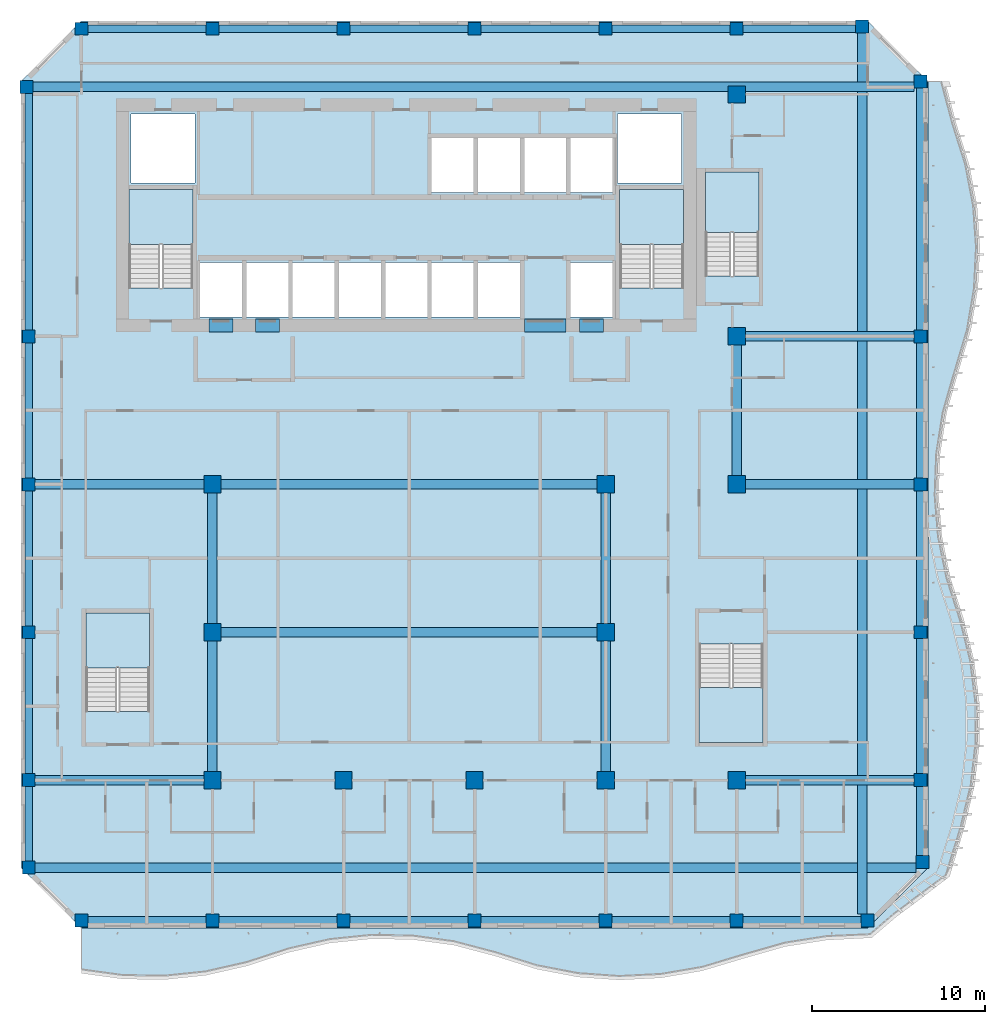
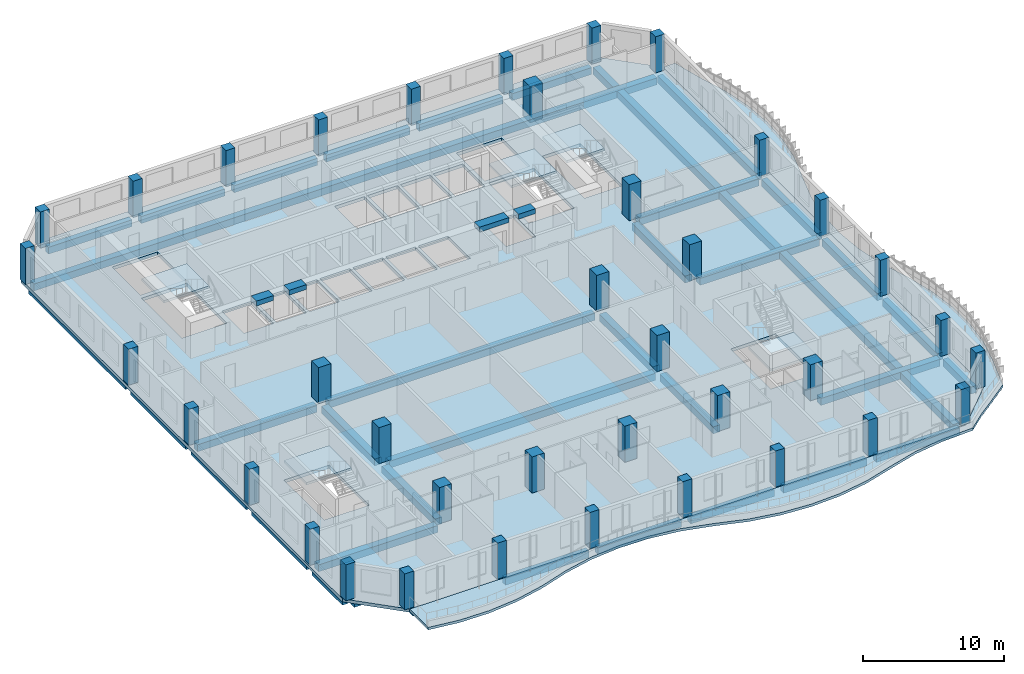
# One storey, part 1 of 21: 41 beams, 38 columns, 7 slabs, 5 elements without a shape of their own.
"""IFC4 building model written with IfcOpenShell, lengths in metres."""

from ifc_helpers import new_model, si_unit, direction, frame, origin, origin_2d, place, context, subcontext, project, spatial, polyline, rectangle, outline, extrude, source, transform, mapped, material, layer, layer_set, material_profile, profile_set, type_object, element, aggregate, save


model = new_model("IFC4")

# Units and contexts
model_context = context("Model", 3, precision=1e-05, world=origin(), true_north=direction((0.0, 1.0)))
body_context = subcontext(model_context, "Body", "Model", "MODEL_VIEW")
ifc_project = project(units=[si_unit("LENGTHUNIT", "METRE"), si_unit("AREAUNIT", "SQUARE_METRE"), si_unit("VOLUMEUNIT", "CUBIC_METRE"), si_unit("PLANEANGLEUNIT", "RADIAN"), si_unit("MASSUNIT", "GRAM", prefix="KILO")], contexts=[model_context])

# Site, building, storey
site_placement = place(None, origin())
site = spatial("IfcSite", under=ifc_project, at=site_placement, CompositionType="ELEMENT")
building_placement = place(site_placement, origin())
building = spatial("IfcBuilding", under=site, at=building_placement, Name="Kilnfold Tower and Market Hall", CompositionType="ELEMENT")
storey_placement = place(building_placement, frame((0.0, 0.0, 216.89990234375)))
storey = spatial("IfcBuildingStorey", under=building, at=storey_placement, Name="L53", CompositionType="ELEMENT", Elevation=216.89990234375)

# Columns
ifc_material_1 = material(Name="Concrete C70", Category="concrete")
ifc_material_profile_1 = material_profile(ifc_material_1, rectangle(XDim=0.75, YDim=0.75, at=origin_2d()), Name="RC 750x750")
ifc_profile_set_1 = profile_set([ifc_material_profile_1], Name="Concrete C70")
column_type_1 = type_object("IfcColumnType", Name="COLUMN 750X750 C70", PredefinedType="COLUMN", material=ifc_profile_set_1)
shared_shape_1 = source(origin(), body_context, "Body", "SweptSolid", [
    extrude(rectangle(XDim=0.75, YDim=0.75, at=origin_2d()), origin(), (0.0, 0.0, 1.0), 3.1201171875),
])
for number, where, z_axis, x_axis, name in (
    (1, (-20.931884765625, 22.431884765625, 0.0), (0.0, 0.0, 1.0), (1.0, 0.0, 0.0), "Column C-B6-1H"),
    (2, (-20.800048828125, -22.75, 0.0), (0.0, 0.0, 1.0), (1.0, 0.0, 0.0), "Column C-B6-1B"),
    (3, (-20.800048828125, -17.6875, 0.0), (0.0, 0.0, 1.0), (1.0, 0.0, 0.0), "Column C-B6-1C"),
    (4, (-20.800048828125, -9.125, 0.0), (0.0, 0.0, 1.0), (1.0, 0.0, 0.0), "Column C-B6-1D"),
    (5, (-20.800048828125, -0.5625, 0.0), (0.0, 0.0, 1.0), (1.0, 0.0, 0.0), "Column C-B6-1E"),
    (6, (-20.800048828125, 8.0, 0.0), (0.0, 0.0, 1.0), (1.0, 0.0, 0.0), "Column C-B6-1F"),
    (7, (-17.75, -25.800048828125, 0.0), (0.0, 0.0, 1.0), (1.0, 0.0, 0.0), "Column C-B6-2A"),
    (8, (-17.75, 25.800048828125, 0.0), (0.0, 0.0, 1.0), (1.0, 0.0, 0.0), "Column C-B6-2I"),
    (9, (-10.166748046875, -25.800048828125, 0.0), (0.0, 0.0, 1.0), (1.0, 0.0, 0.0), "Column C-B6-3A"),
    (10, (-10.166748046875, 25.800048828125, 0.0), (0.0, 0.0, 1.0), (1.0, 0.0, 0.0), "Column C-B6-3I"),
    (11, (-2.583251953125, -25.800048828125, 0.0), (0.0, 0.0, 1.0), (1.0, 0.0, 0.0), "Column C-B6-4A"),
    (12, (-2.583251953125, 25.800048828125, 0.0), (0.0, 0.0, 1.0), (1.0, 0.0, 0.0), "Column C-B6-4I"),
    (13, (5.0, -25.800048828125, 0.0), (0.0, 0.0, 1.0), (1.0, 0.0, 0.0), "Column C-B6-5A"),
    (14, (5.0, 25.800048828125, 0.0), (0.0, 0.0, 1.0), (1.0, 0.0, 0.0), "Column C-B6-5I"),
    (15, (12.583251953125, -25.800048828125, 0.0), (0.0, 0.0, 1.0), (1.0, 0.0, 0.0), "Column C-B6-6A"),
    (16, (12.583251953125, 25.800048828125, 0.0), (0.0, 0.0, 1.0), (1.0, 0.0, 0.0), "Column C-B6-6I"),
    (17, (20.166748046875, -25.800048828125, 0.0), (0.0, 0.0, 1.0), (1.0, 0.0, 0.0), "Column C-B6-7A"),
    (18, (20.166748046875, 25.800048828125, 0.0), (0.0, 0.0, 1.0), (1.0, 0.0, 0.0), "Column C-B6-7I"),
    (19, (27.431884765625, 25.931884765625, 0.0), (0.0, 0.0, 1.0), (1.0, 0.0, 0.0), "Column C-B6-8I"),
    (20, (27.75, -25.800048828125, 0.0), (0.0, 0.0, 1.0), (1.0, 0.0, 0.0), "Column C-B6-8A"),
    (21, (30.800048828125, -17.6875, 0.0), (0.0, 0.0, 1.0), (1.0, 0.0, 0.0), "Column C-B6-9C"),
    (22, (30.800048828125, -9.125, 0.0), (0.0, 0.0, 1.0), (1.0, 0.0, 0.0), "Column C-B6-9D"),
    (23, (30.800048828125, -0.5625, 0.0), (0.0, 0.0, 1.0), (1.0, 0.0, 0.0), "Column C-B6-9E"),
    (24, (30.800048828125, 8.0, 0.0), (0.0, 0.0, 1.0), (1.0, 0.0, 0.0), "Column C-B6-9F"),
    (25, (30.800048828125, 22.75, 0.0), (0.0, 0.0, 1.0), (1.0, 0.0, 0.0), "Column C-B6-9H"),
    (26, (30.931884765625, -22.431884765625, 0.0), (0.0, 0.0, 1.0), (1.0, 0.0, 0.0), "Column C-B6-9B"),
):
    element("IfcColumn", number, at=place(storey_placement, frame(where, z_axis=z_axis, x_axis=x_axis)), inside=storey, type_object=column_type_1, Name=name, PredefinedType="COLUMN", context=body_context, shape_type="MappedRepresentation", body=[
        mapped(shared_shape_1, transform((0.0, 0.0, 0.0))),
    ])
ifc_material_2 = material(Name="Concrete C70", Category="concrete")
ifc_material_profile_2 = material_profile(ifc_material_2, rectangle(XDim=1.0, YDim=1.0, at=origin_2d()), Name="RC 1000x1000")
ifc_profile_set_2 = profile_set([ifc_material_profile_2], Name="Concrete C70")
column_type_2 = type_object("IfcColumnType", Name="COLUMN 1000X1000 C70", PredefinedType="COLUMN", material=ifc_profile_set_2)
shared_shape_2 = source(origin(), body_context, "Body", "SweptSolid", [
    extrude(rectangle(XDim=1.0, YDim=1.0, at=origin_2d()), origin(), (0.0, 0.0, 1.0), 3.1201171875),
])
for number, where, z_axis, x_axis, name in (
    (27, (-10.166748046875, -17.6875, 0.0), (0.0, 0.0, 1.0), (1.0, 0.0, 0.0), "Column C-B6-3C"),
    (28, (-10.166748046875, -9.125, 0.0), (0.0, 0.0, 1.0), (1.0, 0.0, 0.0), "Column C-B6-3D"),
    (29, (-10.166748046875, -0.5625, 0.0), (0.0, 0.0, 1.0), (1.0, 0.0, 0.0), "Column C-B6-3E"),
    (30, (-2.583251953125, -17.6875, 0.0), (0.0, 0.0, 1.0), (1.0, 0.0, 0.0), "Column C-B6-4C"),
    (31, (5.0, -17.6875, 0.0), (0.0, 0.0, 1.0), (1.0, 0.0, 0.0), "Column C-B6-5C"),
    (32, (12.583251953125, -17.6875, 0.0), (0.0, 0.0, 1.0), (1.0, 0.0, 0.0), "Column C-B6-6C"),
    (33, (12.583251953125, -9.125, 0.0), (0.0, 0.0, 1.0), (1.0, 0.0, 0.0), "Column C-B6-6D"),
    (34, (12.583251953125, -0.5625, 0.0), (0.0, 0.0, 1.0), (1.0, 0.0, 0.0), "Column C-B6-6E"),
    (35, (20.166748046875, -17.6875, 0.0), (0.0, 0.0, 1.0), (1.0, 0.0, 0.0), "Column C-B6-7C"),
    (36, (20.166748046875, -0.5625, 0.0), (0.0, 0.0, 1.0), (1.0, 0.0, 0.0), "Column C-B6-7E"),
    (37, (20.166748046875, 8.0, 0.0), (0.0, 0.0, 1.0), (1.0, 0.0, 0.0), "Column C-B6-7F"),
    (38, (20.166748046875, 22.0, 0.0), (0.0, 0.0, 1.0), (1.0, 0.0, 0.0), "Column C-B6-7G"),
):
    element("IfcColumn", number, at=place(storey_placement, frame(where, z_axis=z_axis, x_axis=x_axis)), inside=storey, type_object=column_type_2, Name=name, PredefinedType="COLUMN", context=body_context, shape_type="MappedRepresentation", body=[
        mapped(shared_shape_2, transform((0.0, 0.0, 0.0))),
    ])

# Beams
ifc_material_3 = material(Name="Concrete C45", Category="concrete")
ifc_material_profile_3 = material_profile(ifc_material_3, rectangle(XDim=0.550048828125, YDim=0.60009765625, at=origin_2d()), Name="RC 550x600")
ifc_profile_set_3 = profile_set([ifc_material_profile_3], Name="Concrete C45")
beam_type_1 = type_object("IfcBeamType", Name="BEAM 550X600 C45", PredefinedType="BEAM", material=ifc_profile_set_3)
shared_shape_3 = source(origin(), body_context, "Body", "SweptSolid", [
    extrude(rectangle(XDim=0.550048828125, YDim=0.60009765625, at=origin_2d()), origin(), (0.0, 0.0, 1.0), 21.75),
])
for number, where, z_axis, x_axis, name in (
    (39, (-9.666748046875, -9.1201171875, -0.579833984375), (1.0, 0.0, 0.0), (0.0, 1.0, 0.0), "Beam BB600-B6.48"),
    (40, (-9.666748046875, -0.56005859375, -0.579833984375), (1.0, 0.0, 0.0), (0.0, 1.0, 0.0), "Beam BB600-B6.50"),
):
    element("IfcBeam", number, at=place(storey_placement, frame(where, z_axis=z_axis, x_axis=x_axis)), inside=storey, type_object=beam_type_1, Name=name, PredefinedType="BEAM", context=body_context, shape_type="MappedRepresentation", body=[
        mapped(shared_shape_3, transform((0.0, 0.0, 0.0))),
    ])
ifc_material_4 = material(Name="Concrete C60", Category="concrete")
ifc_material_profile_4 = material_profile(ifc_material_4, rectangle(XDim=0.75, YDim=0.419921875, at=origin_2d()), Name="RC 750x420")
ifc_profile_set_4 = profile_set([ifc_material_profile_4], Name="Concrete C60")
beam_type_2 = type_object("IfcBeamType", Name="COUPLING BEAM 750X420 C60", PredefinedType="BEAM", material=ifc_profile_set_4)
shared_shape_4 = source(origin(), body_context, "Body", "SweptSolid", [
    extrude(rectangle(XDim=0.75, YDim=0.419921875, at=origin_2d()), origin(), (0.0, 0.0, 1.0), 1.400146484375),
])
beam_1_placement = place(storey_placement, frame((-10.3701171875, 8.625, 2.91015625), z_axis=(1.0, 0.0, 0.0), x_axis=(0.0, 1.0, 0.0)))
element("IfcBeam", 41, at=beam_1_placement, inside=storey, type_object=beam_type_2, Name="Coupling beam CB420-60-CORE.37", PredefinedType="BEAM", context=body_context, shape_type="MappedRepresentation", body=[
    mapped(shared_shape_4, transform((0.0, 0.0, 0.0))),
])
shared_shape_5 = source(origin(), body_context, "Body", "SweptSolid", [
    extrude(rectangle(XDim=0.75, YDim=0.419921875, at=origin_2d()), origin(), (0.0, 0.0, 1.0), 1.39990234375),
])
for number, where, z_axis, x_axis, name in (
    (42, (-7.68994140625, 8.625, 2.91015625), (1.0, 0.0, 0.0), (0.0, 1.0, 0.0), "Coupling beam CB420-60-CORE.38"),
    (43, (11.070068359375, 8.625, 2.91015625), (1.0, 0.0, 0.0), (0.0, 1.0, 0.0), "Coupling beam CB420-60-CORE.40"),
):
    element("IfcBeam", number, at=place(storey_placement, frame(where, z_axis=z_axis, x_axis=x_axis)), inside=storey, type_object=beam_type_2, Name=name, PredefinedType="BEAM", context=body_context, shape_type="MappedRepresentation", body=[
        mapped(shared_shape_5, transform((0.0, 0.0, 0.0))),
    ])
shared_shape_6 = source(origin(), body_context, "Body", "SweptSolid", [
    extrude(rectangle(XDim=0.75, YDim=0.419921875, at=origin_2d()), origin(), (0.0, 0.0, 1.0), 2.400146484375),
])
beam_2_placement = place(storey_placement, frame((7.889892578125, 8.625, 2.91015625), z_axis=(1.0, 0.0, 0.0), x_axis=(0.0, 1.0, 0.0)))
element("IfcBeam", 44, at=beam_2_placement, inside=storey, type_object=beam_type_2, Name="Coupling beam CB420-60-CORE.39", PredefinedType="BEAM", context=body_context, shape_type="MappedRepresentation", body=[
    mapped(shared_shape_6, transform((0.0, 0.0, 0.0))),
])
ifc_material_5 = material(Name="Concrete C45", Category="concrete")
ifc_material_profile_5 = material_profile(ifc_material_5, rectangle(XDim=0.449951171875, YDim=0.60009765625, at=origin_2d()), Name="RC 450x600")
ifc_profile_set_5 = profile_set([ifc_material_profile_5], Name="Concrete C45")
beam_type_3 = type_object("IfcBeamType", Name="EDGE BEAM 450X600 C45", PredefinedType="BEAM", material=ifc_profile_set_5)
shared_shape_7 = source(origin(), body_context, "Body", "SweptSolid", [
    extrude(rectangle(XDim=0.449951171875, YDim=0.60009765625, at=origin_2d()), origin(), (0.0, 0.0, 1.0), 13.681884765625),
])
beam_3_placement = place(storey_placement, frame((-20.800048828125, 8.375, -0.579833984375), z_axis=(0.0, 1.0, 0.0), x_axis=(-1.0, 0.0, 0.0)))
element("IfcBeam", 45, at=beam_3_placement, inside=storey, type_object=beam_type_3, Name="Beam EB600-B6.33", PredefinedType="BEAM", context=body_context, shape_type="MappedRepresentation", body=[
    mapped(shared_shape_7, transform((0.0, 0.0, 0.0))),
])
shared_shape_8 = source(origin(), body_context, "Body", "SweptSolid", [
    extrude(rectangle(XDim=0.449951171875, YDim=0.60009765625, at=origin_2d()), origin(), (0.0, 0.0, 1.0), 6.833251953125),
])
for number, where, z_axis, x_axis, name in (
    (46, (-17.375, -25.800048828125, -0.579833984375), (1.0, 0.0, 0.0), (0.0, 1.0, 0.0), "Beam EB600-B6.39"),
    (47, (-2.208251953125, -25.800048828125, -0.579833984375), (1.0, 0.0, 0.0), (0.0, 1.0, 0.0), "Beam EB600-B6.41"),
    (48, (5.375, -25.800048828125, -0.579833984375), (1.0, 0.0, 0.0), (0.0, 1.0, 0.0), "Beam EB600-B6.42"),
    (49, (20.541748046875, -25.800048828125, -0.579833984375), (1.0, 0.0, 0.0), (0.0, 1.0, 0.0), "Beam EB600-B6.44"),
    (50, (-17.375, 25.800048828125, -0.579833984375), (1.0, 0.0, 0.0), (0.0, 1.0, 0.0), "Beam EB600-B6.54"),
    (51, (-2.208251953125, 25.800048828125, -0.579833984375), (1.0, 0.0, 0.0), (0.0, 1.0, 0.0), "Beam EB600-B6.56"),
    (52, (5.375, 25.800048828125, -0.579833984375), (1.0, 0.0, 0.0), (0.0, 1.0, 0.0), "Beam EB600-B6.57"),
):
    element("IfcBeam", number, at=place(storey_placement, frame(where, z_axis=z_axis, x_axis=x_axis)), inside=storey, type_object=beam_type_3, Name=name, PredefinedType="BEAM", context=body_context, shape_type="MappedRepresentation", body=[
        mapped(shared_shape_8, transform((0.0, 0.0, 0.0))),
    ])
shared_shape_9 = source(origin(), body_context, "Body", "SweptSolid", [
    extrude(rectangle(XDim=0.449951171875, YDim=0.60009765625, at=origin_2d()), origin(), (0.0, 0.0, 1.0), 6.83349609375),
])
for number, where, z_axis, x_axis, name in (
    (53, (-9.791748046875, -25.800048828125, -0.579833984375), (1.0, 0.0, 0.0), (0.0, 1.0, 0.0), "Beam EB600-B6.40"),
    (54, (12.958251953125, -25.800048828125, -0.579833984375), (1.0, 0.0, 0.0), (0.0, 1.0, 0.0), "Beam EB600-B6.43"),
    (55, (-9.791748046875, 25.800048828125, -0.579833984375), (1.0, 0.0, 0.0), (0.0, 1.0, 0.0), "Beam EB600-B6.55"),
    (56, (12.958251953125, 25.800048828125, -0.579833984375), (1.0, 0.0, 0.0), (0.0, 1.0, 0.0), "Beam EB600-B6.58"),
):
    element("IfcBeam", number, at=place(storey_placement, frame(where, z_axis=z_axis, x_axis=x_axis)), inside=storey, type_object=beam_type_3, Name=name, PredefinedType="BEAM", context=body_context, shape_type="MappedRepresentation", body=[
        mapped(shared_shape_9, transform((0.0, 0.0, 0.0))),
    ])
shared_shape_10 = source(origin(), body_context, "Body", "SweptSolid", [
    extrude(rectangle(XDim=0.550048828125, YDim=0.60009765625, at=origin_2d()), origin(), (0.0, 0.0, 1.0), 50.98193359375),
])
for number, where, z_axis, x_axis, name in (
    (57, (-20.425048828125, -22.75, -0.579833984375), (1.0, 0.0, 0.0), (0.0, 1.0, 0.0), "Beam BB600-B6.45"),
    (58, (-20.556884765625, 22.429931640625, -0.579833984375), (1.0, 0.0, 0.0), (0.0, 1.0, 0.0), "Beam BB600-B6.53"),
    (59, (27.429931640625, -25.425048828125, -0.579833984375), (0.0, 1.0, 0.0), (-1.0, 0.0, 0.0), "Beam BB600-B6.69"),
):
    element("IfcBeam", number, at=place(storey_placement, frame(where, z_axis=z_axis, x_axis=x_axis)), inside=storey, type_object=beam_type_1, Name=name, PredefinedType="BEAM", context=body_context, shape_type="MappedRepresentation", body=[
        mapped(shared_shape_10, transform((0.0, 0.0, 0.0))),
    ])
shared_shape_11 = source(origin(), body_context, "Body", "SweptSolid", [
    extrude(rectangle(XDim=0.550048828125, YDim=0.60009765625, at=origin_2d()), origin(), (0.0, 0.0, 1.0), 9.75830078125),
])
for number, where, z_axis, x_axis, name in (
    (60, (-20.425048828125, -17.68994140625, -0.579833984375), (1.0, 0.0, 0.0), (0.0, 1.0, 0.0), "Beam BB600-B6.46"),
    (61, (20.666748046875, -17.68994140625, -0.579833984375), (1.0, 0.0, 0.0), (0.0, 1.0, 0.0), "Beam BB600-B6.47"),
    (62, (-20.425048828125, -0.56005859375, -0.579833984375), (1.0, 0.0, 0.0), (0.0, 1.0, 0.0), "Beam BB600-B6.49"),
    (63, (20.666748046875, -0.56005859375, -0.579833984375), (1.0, 0.0, 0.0), (0.0, 1.0, 0.0), "Beam BB600-B6.51"),
    (64, (20.666748046875, 8.0, -0.579833984375), (1.0, 0.0, 0.0), (0.0, 1.0, 0.0), "Beam BB600-B6.52"),
):
    element("IfcBeam", number, at=place(storey_placement, frame(where, z_axis=z_axis, x_axis=x_axis)), inside=storey, type_object=beam_type_1, Name=name, PredefinedType="BEAM", context=body_context, shape_type="MappedRepresentation", body=[
        mapped(shared_shape_11, transform((0.0, 0.0, 0.0))),
    ])
shared_shape_12 = source(origin(), body_context, "Body", "SweptSolid", [
    extrude(rectangle(XDim=0.449951171875, YDim=0.60009765625, at=origin_2d()), origin(), (0.0, 0.0, 1.0), 6.51513671875),
])
beam_4_placement = place(storey_placement, frame((20.541748046875, 25.800048828125, -0.579833984375), z_axis=(1.0, 0.0, 0.0), x_axis=(0.0, 1.0, 0.0)))
element("IfcBeam", 65, at=beam_4_placement, inside=storey, type_object=beam_type_3, Name="Beam EB600-B6.59", PredefinedType="BEAM", context=body_context, shape_type="MappedRepresentation", body=[
    mapped(shared_shape_12, transform((0.0, 0.0, 0.0))),
])
shared_shape_13 = source(origin(), body_context, "Body", "SweptSolid", [
    extrude(rectangle(XDim=0.449951171875, YDim=0.60009765625, at=origin_2d()), origin(), (0.0, 0.0, 1.0), 4.3125),
])
beam_5_placement = place(storey_placement, frame((-20.800048828125, -22.375, -0.579833984375), z_axis=(0.0, 1.0, 0.0), x_axis=(-1.0, 0.0, 0.0)))
element("IfcBeam", 66, at=beam_5_placement, inside=storey, type_object=beam_type_3, Name="Beam EB600-B6.60", PredefinedType="BEAM", context=body_context, shape_type="MappedRepresentation", body=[
    mapped(shared_shape_13, transform((0.0, 0.0, 0.0))),
])
shared_shape_14 = source(origin(), body_context, "Body", "SweptSolid", [
    extrude(rectangle(XDim=0.449951171875, YDim=0.60009765625, at=origin_2d()), origin(), (0.0, 0.0, 1.0), 7.8125),
])
for number, where, z_axis, x_axis, name in (
    (67, (-20.800048828125, -17.3125, -0.579833984375), (0.0, 1.0, 0.0), (-1.0, 0.0, 0.0), "Beam EB600-B6.61"),
    (68, (-20.800048828125, -8.75, -0.579833984375), (0.0, 1.0, 0.0), (-1.0, 0.0, 0.0), "Beam EB600-B6.62"),
    (69, (-20.800048828125, -0.1875, -0.579833984375), (0.0, 1.0, 0.0), (-1.0, 0.0, 0.0), "Beam EB600-B6.63"),
    (70, (30.800048828125, -17.3125, -0.579833984375), (0.0, 1.0, 0.0), (-1.0, 0.0, 0.0), "Beam EB600-B6.71"),
    (71, (30.800048828125, -8.75, -0.579833984375), (0.0, 1.0, 0.0), (-1.0, 0.0, 0.0), "Beam EB600-B6.72"),
    (72, (30.800048828125, -0.1875, -0.579833984375), (0.0, 1.0, 0.0), (-1.0, 0.0, 0.0), "Beam EB600-B6.73"),
):
    element("IfcBeam", number, at=place(storey_placement, frame(where, z_axis=z_axis, x_axis=x_axis)), inside=storey, type_object=beam_type_3, Name=name, PredefinedType="BEAM", context=body_context, shape_type="MappedRepresentation", body=[
        mapped(shared_shape_14, transform((0.0, 0.0, 0.0))),
    ])
shared_shape_15 = source(origin(), body_context, "Body", "SweptSolid", [
    extrude(rectangle(XDim=0.550048828125, YDim=0.60009765625, at=origin_2d()), origin(), (0.0, 0.0, 1.0), 7.5625),
])
for number, where, z_axis, x_axis, name in (
    (73, (-10.169921875, -17.1875, -0.579833984375), (0.0, 1.0, 0.0), (-1.0, 0.0, 0.0), "Beam BB600-B6.64"),
    (74, (-10.169921875, -8.625, -0.579833984375), (0.0, 1.0, 0.0), (-1.0, 0.0, 0.0), "Beam BB600-B6.65"),
    (75, (12.580078125, -17.1875, -0.579833984375), (0.0, 1.0, 0.0), (-1.0, 0.0, 0.0), "Beam BB600-B6.66"),
    (76, (12.580078125, -8.625, -0.579833984375), (0.0, 1.0, 0.0), (-1.0, 0.0, 0.0), "Beam BB600-B6.67"),
    (77, (20.169921875, -0.0625, -0.579833984375), (0.0, 1.0, 0.0), (-1.0, 0.0, 0.0), "Beam BB600-B6.68"),
):
    element("IfcBeam", number, at=place(storey_placement, frame(where, z_axis=z_axis, x_axis=x_axis)), inside=storey, type_object=beam_type_1, Name=name, PredefinedType="BEAM", context=body_context, shape_type="MappedRepresentation", body=[
        mapped(shared_shape_15, transform((0.0, 0.0, 0.0))),
    ])
shared_shape_16 = source(origin(), body_context, "Body", "SweptSolid", [
    extrude(rectangle(XDim=0.449951171875, YDim=0.60009765625, at=origin_2d()), origin(), (0.0, 0.0, 1.0), 3.994384765625),
])
beam_6_placement = place(storey_placement, frame((30.800048828125, -22.056884765625, -0.579833984375), z_axis=(0.0, 1.0, 0.0), x_axis=(-1.0, 0.0, 0.0)))
element("IfcBeam", 78, at=beam_6_placement, inside=storey, type_object=beam_type_3, Name="Beam EB600-B6.70", PredefinedType="BEAM", context=body_context, shape_type="MappedRepresentation", body=[
    mapped(shared_shape_16, transform((0.0, 0.0, 0.0))),
])
shared_shape_17 = source(origin(), body_context, "Body", "SweptSolid", [
    extrude(rectangle(XDim=0.449951171875, YDim=0.60009765625, at=origin_2d()), origin(), (0.0, 0.0, 1.0), 14.0),
])
beam_7_placement = place(storey_placement, frame((30.800048828125, 8.375, -0.579833984375), z_axis=(0.0, 1.0, 0.0), x_axis=(-1.0, 0.0, 0.0)))
element("IfcBeam", 79, at=beam_7_placement, inside=storey, type_object=beam_type_3, Name="Beam EB600-B6.74", PredefinedType="BEAM", context=body_context, shape_type="MappedRepresentation", body=[
    mapped(shared_shape_17, transform((0.0, 0.0, 0.0))),
])

# Slabs
ifc_material_6 = material(Name="Concrete C45", Category="concrete")
ifc_layer_1 = layer(ifc_material_6, 0.280029296875)
ifc_layer_set_1 = layer_set([ifc_layer_1], Name="Concrete C45")
slab_type_1 = type_object("IfcSlabType", Name="FLOOR SLAB 280", PredefinedType="FLOOR", material=ifc_layer_set_1)
shared_shape_18 = source(origin(), body_context, "Body", "SweptSolid", [
    extrude(outline(polyline([(-17.75, -26.25), (27.75, -26.25), (31.25, -22.75), (31.25, 22.75), (27.75, 26.25), (-17.75, 26.25), (-21.25, 22.75), (-21.25, -22.75), (-17.75, -26.25)]), holes=[polyline([(-13.800537109375, -13.699462890625), (-17.49951171875, -13.699462890625), (-17.49951171875, -8.00048828125), (-13.800537109375, -8.00048828125), (-13.800537109375, -13.699462890625)]), polyline([(-14.99951171875, 10.800537109375), (-14.99951171875, 16.49951171875), (-11.300537109375, 16.49951171875), (-11.300537109375, 10.800537109375), (-14.99951171875, 10.800537109375)]), polyline([(-11.175048828125, 16.875), (-14.875, 16.875), (-14.875, 20.875), (-11.175048828125, 20.875), (-11.175048828125, 16.875)]), polyline([(-8.455078125, 9.125), (-10.885009765625, 9.125), (-10.885009765625, 12.27490234375), (-8.455078125, 12.27490234375), (-8.455078125, 9.125)]), polyline([(-5.77490234375, 9.125), (-8.205078125, 9.125), (-8.205078125, 12.27490234375), (-5.77490234375, 12.27490234375), (-5.77490234375, 9.125)]), polyline([(-3.094970703125, 9.125), (-5.52490234375, 9.125), (-5.52490234375, 12.27490234375), (-3.094970703125, 12.27490234375), (-3.094970703125, 9.125)]), polyline([(-0.4150390625, 9.125), (-2.844970703125, 9.125), (-2.844970703125, 12.27490234375), (-0.4150390625, 12.27490234375), (-0.4150390625, 9.125)]), polyline([(2.264892578125, 9.125), (-0.1650390625, 9.125), (-0.1650390625, 12.27490234375), (2.264892578125, 12.27490234375), (2.264892578125, 9.125)]), polyline([(4.945068359375, 9.125), (2.514892578125, 9.125), (2.514892578125, 12.27490234375), (4.945068359375, 12.27490234375), (4.945068359375, 9.125)]), polyline([(2.514892578125, 16.324951171875), (2.514892578125, 19.47509765625), (4.945068359375, 19.47509765625), (4.945068359375, 16.324951171875), (2.514892578125, 16.324951171875)]), polyline([(7.625, 9.125), (5.195068359375, 9.125), (5.195068359375, 12.27490234375), (7.625, 12.27490234375), (7.625, 9.125)]), polyline([(7.625, 16.324951171875), (5.195068359375, 16.324951171875), (5.195068359375, 19.47509765625), (7.625, 19.47509765625), (7.625, 16.324951171875)]), polyline([(10.304931640625, 16.324951171875), (7.875, 16.324951171875), (7.875, 19.47509765625), (10.304931640625, 19.47509765625), (10.304931640625, 16.324951171875)]), polyline([(10.554931640625, 9.125), (10.554931640625, 12.27490234375), (12.985107421875, 12.27490234375), (12.985107421875, 9.125), (10.554931640625, 9.125)]), polyline([(10.554931640625, 16.324951171875), (10.554931640625, 19.47509765625), (12.985107421875, 19.47509765625), (12.985107421875, 16.324951171875), (10.554931640625, 16.324951171875)]), polyline([(13.27490234375, 16.875), (13.27490234375, 20.875), (16.97509765625, 20.875), (16.97509765625, 16.875), (13.27490234375, 16.875)]), polyline([(13.400390625, 10.800537109375), (13.400390625, 16.49951171875), (17.099609375, 16.49951171875), (17.099609375, 10.800537109375), (13.400390625, 10.800537109375)]), polyline([(18.00048828125, -9.800537109375), (21.699462890625, -9.800537109375), (21.699462890625, -15.49951171875), (18.00048828125, -15.49951171875), (18.00048828125, -9.800537109375)]), polyline([(21.449462890625, 11.50048828125), (18.3505859375, 11.50048828125), (18.3505859375, 17.49951171875), (21.449462890625, 17.49951171875), (21.449462890625, 11.50048828125)])]), origin(), (0.0, 0.0, 1.0), 0.280029296875),
])
slab_1_placement = place(storey_placement, frame((0.0, 0.0, -0.280029296875)))
element("IfcSlab", 80, at=slab_1_placement, inside=storey, type_object=slab_type_1, Name="Floor slab L53", PredefinedType="FLOOR", context=body_context, shape_type="MappedRepresentation", body=[
    mapped(shared_shape_18, transform((0.0, 0.0, 0.0))),
])
ifc_material_7 = material(Name="Concrete C40/50", Category="concrete")
ifc_layer_2 = layer(ifc_material_7, 0.219970703125)
ifc_layer_set_2 = layer_set([ifc_layer_2], Name="Concrete C40/50")
slab_type_2 = type_object("IfcSlabType", Name="BALCONY SLAB 220", PredefinedType="FLOOR", material=ifc_layer_set_2)
shared_shape_19 = source(origin(), body_context, "Body", "SweptSolid", [
    extrude(outline(polyline([(-17.75, -26.25), (27.75, -26.25), (31.25, -22.75), (31.25, 22.75), (32.23388671875, 22.75), (32.86279296875, 20.355224609375), (33.6201171875, 17.96044921875), (34.080810546875, 15.56591796875), (34.248779296875, 13.171142578125), (34.131591796875, 10.7763671875), (33.7236328125, 8.381591796875), (33.007568359375, 5.98681640625), (32.322509765625, 3.592041015625), (31.944091796875, 1.197509765625), (31.85498046875, -1.197509765625), (32.051513671875, -3.592041015625), (32.542236328125, -5.98681640625), (33.31396484375, -8.381591796875), (33.91162109375, -10.7763671875), (34.208984375, -13.171142578125), (34.219482421875, -15.56591796875), (33.943115234375, -17.96044921875), (33.367919921875, -20.355224609375), (32.487548828125, -23.2626953125), (30.7578125, -24.59130859375), (29.41943359375, -25.5859375), (27.981689453125, -26.80908203125), (25.355224609375, -26.94287109375), (22.96044921875, -27.319580078125), (20.56591796875, -28.0029296875), (18.171142578125, -28.720703125), (15.7763671875, -29.130126953125), (13.381591796875, -29.2490234375), (10.98681640625, -29.08251953125), (8.592041015625, -28.623291015625), (6.197509765625, -27.866943359375), (3.802490234375, -27.236328125), (1.407958984375, -26.908447265625), (-0.98681640625, -26.868408203125), (-3.381591796875, -27.114501953125), (-5.7763671875, -27.657470703125), (-8.171142578125, -28.43896484375), (-10.56591796875, -28.9833984375), (-12.96044921875, -29.231201171875), (-15.355224609375, -29.1923828125), (-17.75, -28.8662109375), (-17.75, -26.25)])), origin(), (0.0, 0.0, 1.0), 0.219970703125),
])
slab_2_placement = place(storey_placement, frame((0.0, 0.0, -0.219970703125)))
element("IfcSlab", 81, at=slab_2_placement, inside=storey, type_object=slab_type_2, Name="Balcony slab L53", PredefinedType="FLOOR", context=body_context, shape_type="MappedRepresentation", body=[
    mapped(shared_shape_19, transform((0.0, 0.0, 0.0))),
])

# Stair, slab
ifc_material_8 = material(Name="Concrete C40/50", Category="concrete")
stair_type_1 = type_object("IfcStairType", Name="CORE STAIR 1800", PredefinedType="HALF_TURN_STAIR", material=ifc_material_8)
stair_1_placement = place(storey_placement, origin())
stair_1 = element("IfcStair", 82, at=stair_1_placement, inside=storey, type_object=stair_type_1, Name="L53 ST1", PredefinedType="HALF_TURN_STAIR")
ifc_material_9 = material(Name="Concrete C40/50", Category="concrete")
ifc_layer_3 = layer(ifc_material_9, 0.199951171875)
ifc_layer_set_3 = layer_set([ifc_layer_3], Name="Concrete C40/50")
slab_type_3 = type_object("IfcSlabType", Name="CORE STAIR LANDING 200", PredefinedType="LANDING", material=ifc_layer_set_3)
shared_shape_20 = source(origin(), body_context, "Body", "SweptSolid", [
    extrude(outline(polyline([(-11.300048828125, 13.320068359375), (-11.300048828125, 16.5), (-15.0, 16.5), (-15.0, 13.320068359375), (-11.300048828125, 13.320068359375)])), origin(), (0.0, 0.0, 1.0), 0.2001953125),
])
slab_3_placement = place(storey_placement, frame((0.0, 0.0, 1.5)))
slab_3 = element("IfcSlab", 83, at=slab_3_placement, type_object=slab_type_3, Name="ST1 landing 1", PredefinedType="LANDING", context=body_context, shape_type="MappedRepresentation", body=[
    mapped(shared_shape_20, transform((0.0, 0.0, 0.0))),
])
aggregate(stair_1, [slab_3])

stair_2_placement = place(storey_placement, origin())
stair_2 = element("IfcStair", 84, at=stair_2_placement, inside=storey, type_object=stair_type_1, Name="L53 ST2", PredefinedType="HALF_TURN_STAIR")
shared_shape_21 = source(origin(), body_context, "Body", "SweptSolid", [
    extrude(outline(polyline([(17.10009765625, 13.320068359375), (17.10009765625, 16.5), (13.39990234375, 16.5), (13.39990234375, 13.320068359375), (17.10009765625, 13.320068359375)])), origin(), (0.0, 0.0, 1.0), 0.2001953125),
])
slab_4_placement = place(storey_placement, frame((0.0, 0.0, 1.5)))
slab_4 = element("IfcSlab", 85, at=slab_4_placement, type_object=slab_type_3, Name="ST2 landing 1", PredefinedType="LANDING", context=body_context, shape_type="MappedRepresentation", body=[
    mapped(shared_shape_21, transform((0.0, 0.0, 0.0))),
])
aggregate(stair_2, [slab_4])

stair_3_placement = place(storey_placement, origin())
stair_3 = element("IfcStair", 86, at=stair_3_placement, inside=storey, type_object=stair_type_1, Name="L53 ST3", PredefinedType="HALF_TURN_STAIR")
shared_shape_22 = source(origin(), body_context, "Body", "SweptSolid", [
    extrude(outline(polyline([(-13.800048828125, -11.179931640625), (-13.800048828125, -8.0), (-17.5, -8.0), (-17.5, -11.179931640625), (-13.800048828125, -11.179931640625)])), origin(), (0.0, 0.0, 1.0), 0.2001953125),
])
slab_5_placement = place(storey_placement, frame((0.0, 0.0, 1.5)))
slab_5 = element("IfcSlab", 87, at=slab_5_placement, type_object=slab_type_3, Name="ST3 landing 1", PredefinedType="LANDING", context=body_context, shape_type="MappedRepresentation", body=[
    mapped(shared_shape_22, transform((0.0, 0.0, 0.0))),
])
aggregate(stair_3, [slab_5])

stair_4_placement = place(storey_placement, origin())
stair_4 = element("IfcStair", 88, at=stair_4_placement, inside=storey, type_object=stair_type_1, Name="L53 ST4", PredefinedType="HALF_TURN_STAIR")
shared_shape_23 = source(origin(), body_context, "Body", "SweptSolid", [
    extrude(outline(polyline([(18.0, -12.320068359375), (18.0, -15.5), (21.699951171875, -15.5), (21.699951171875, -12.320068359375), (18.0, -12.320068359375)])), origin(), (0.0, 0.0, 1.0), 0.2001953125),
])
slab_6_placement = place(storey_placement, frame((0.0, 0.0, 1.5)))
slab_6 = element("IfcSlab", 89, at=slab_6_placement, type_object=slab_type_3, Name="ST4 landing 1", PredefinedType="LANDING", context=body_context, shape_type="MappedRepresentation", body=[
    mapped(shared_shape_23, transform((0.0, 0.0, 0.0))),
])
aggregate(stair_4, [slab_6])

ifc_material_10 = material(Name="Concrete C40/50", Category="concrete")
stair_type_2 = type_object("IfcStairType", Name="CORE STAIR 1500", PredefinedType="HALF_TURN_STAIR", material=ifc_material_10)
stair_5_placement = place(storey_placement, origin())
stair_5 = element("IfcStair", 90, at=stair_5_placement, inside=storey, type_object=stair_type_2, Name="L53 ST5", PredefinedType="HALF_TURN_STAIR")
shared_shape_24 = source(origin(), body_context, "Body", "SweptSolid", [
    extrude(outline(polyline([(21.449951171875, 14.02001953125), (21.449951171875, 17.5), (18.35009765625, 17.5), (18.35009765625, 14.02001953125), (21.449951171875, 14.02001953125)])), origin(), (0.0, 0.0, 1.0), 0.2001953125),
])
slab_7_placement = place(storey_placement, frame((0.0, 0.0, 1.5)))
slab_7 = element("IfcSlab", 91, at=slab_7_placement, type_object=slab_type_3, Name="ST5 landing 1", PredefinedType="LANDING", context=body_context, shape_type="MappedRepresentation", body=[
    mapped(shared_shape_24, transform((0.0, 0.0, 0.0))),
])
aggregate(stair_5, [slab_7])

save(model, "model.ifc")
